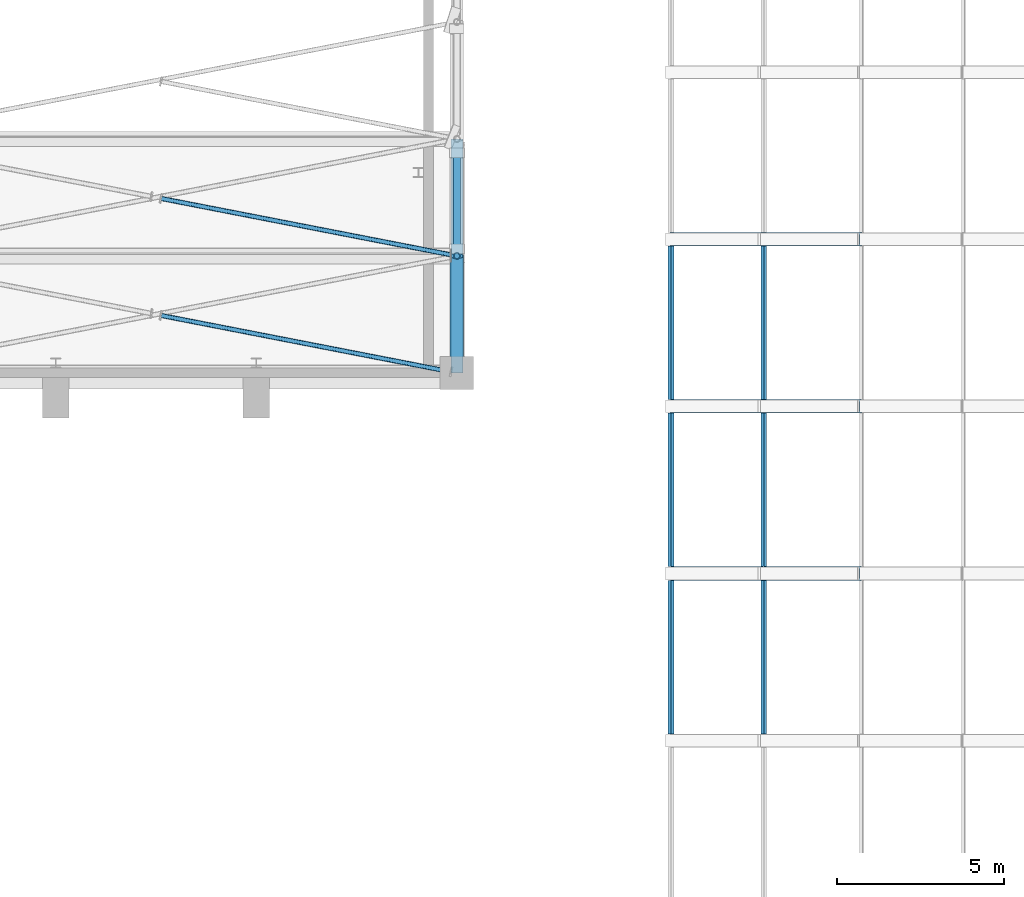
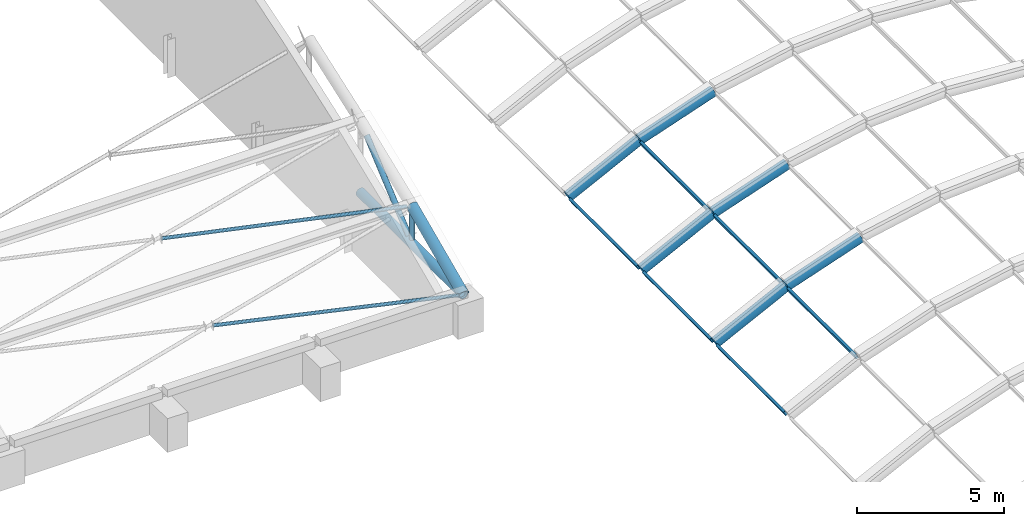
# One storey, part 45 of 196: 18 members.
"""IFC4 building model written with IfcOpenShell, lengths in metres."""

from ifc_helpers import new_model, si_unit, direction, frame, origin, origin_2d, place, context, subcontext, project, spatial, hollow_rectangle, hollow_circle, extrude, material, material_profile, profile_set, type_object, element, save


model = new_model("IFC4")

# Units and contexts
model_context = context("Model", 3, precision=1e-05, world=origin(), true_north=direction((0.0, 1.0)))
body_context = subcontext(model_context, "Body", "Model", "MODEL_VIEW")
ifc_project = project(units=[si_unit("LENGTHUNIT", "METRE"), si_unit("AREAUNIT", "SQUARE_METRE"), si_unit("VOLUMEUNIT", "CUBIC_METRE"), si_unit("PLANEANGLEUNIT", "RADIAN"), si_unit("MASSUNIT", "GRAM", prefix="KILO")], contexts=[model_context])

# Site, building, storey
site_placement = place(None, origin())
site = spatial("IfcSite", under=ifc_project, at=site_placement, CompositionType="ELEMENT")
building_placement = place(site_placement, origin())
building = spatial("IfcBuilding", under=site, at=building_placement, Name="Okhra Congress Centre", CompositionType="ELEMENT")
storey_placement = place(building_placement, frame((0.0, 0.0, 12.0)))
storey = spatial("IfcBuildingStorey", under=building, at=storey_placement, Name="L02", CompositionType="ELEMENT", Elevation=12.0)

# Members
ifc_material_1 = material(Name="Steel S355J2H", Category="steel")
ifc_material_profile_1 = material_profile(ifc_material_1, hollow_circle(Radius=0.06982421875, WallThickness=0.00634765625, at=origin_2d()), Name="CHS 139.7x6.3")
ifc_profile_set_1 = profile_set([ifc_material_profile_1], Name="Steel S355J2H")
member_type_1 = type_object("IfcMemberType", Name="CHS 139.7x6.3", PredefinedType="BRACE", material=ifc_profile_set_1)
member_1_placement = place(storey_placement, frame((153.814453125, 132.0361328125, 1.416259765625), z_axis=(-0.978051270157, 0.190181228948, 0.085128215653), x_axis=(-0.190874100976, -0.98161452596, 0.0)))
element("IfcMember", 1, at=member_1_placement, inside=storey, type_object=member_type_1, Name="EH.MEM.L02.XB7-01-2a", PredefinedType="BRACE", context=body_context, shape_type="SweptSolid", body=[
    extrude(hollow_circle(Radius=0.06982421875, WallThickness=0.00634765625, at=origin_2d()), origin(), (0.0, 0.0, 1.0), 8.85888671875),
])
member_2_placement = place(storey_placement, frame((153.814453125, 135.5361328125, 2.981201171875), z_axis=(-0.97874056041, 0.19029150725, 0.076524882736), x_axis=(-0.190851145429, -0.981618989368, 0.0)))
element("IfcMember", 2, at=member_2_placement, inside=storey, type_object=member_type_1, Name="EH.MEM.L02.XB7-02-2a", PredefinedType="BRACE", context=body_context, shape_type="SweptSolid", body=[
    extrude(hollow_circle(Radius=0.06982421875, WallThickness=0.00634765625, at=origin_2d()), origin(), (0.0, 0.0, 1.0), 8.85009765625),
])
ifc_material_profile_2 = material_profile(ifc_material_1, hollow_circle(Radius=0.096923828125, WallThickness=0.012451171875, at=origin_2d()), Name="CHS 193.7x12.5")
ifc_profile_set_2 = profile_set([ifc_material_profile_2], Name="Steel S355J2H")
member_type_2 = type_object("IfcMemberType", Name="CHS 193.7x12.5", PredefinedType="POST", material=ifc_profile_set_2)
member_3_placement = place(storey_placement, frame((154.0, 135.5, 1.577880859375), z_axis=(0.0, 0.0, 1.0), x_axis=(1.0, 0.0, 0.0)))
element("IfcMember", 3, at=member_3_placement, inside=storey, type_object=member_type_2, Name="EH.MEM.L02.T8-VER-01", PredefinedType="POST", context=body_context, shape_type="SweptSolid", body=[
    extrude(hollow_circle(Radius=0.096923828125, WallThickness=0.012451171875, at=origin_2d()), origin(), (0.0, 0.0, 1.0), 1.168212890625),
])
ifc_material_profile_3 = material_profile(ifc_material_1, hollow_circle(Radius=0.109619140625, WallThickness=0.012451171875, at=origin_2d()), Name="CHS 219.1x12.5")
ifc_profile_set_3 = profile_set([ifc_material_profile_3], Name="Steel S355J2H")
member_type_3 = type_object("IfcMemberType", Name="CHS 219.1x12.5", PredefinedType="BRACE", material=ifc_profile_set_3)
member_4_placement = place(storey_placement, frame((154.0, 138.57421875, 4.01220703125), z_axis=(0.0, -0.76205947483, -0.647507032257), x_axis=(1.0, 0.0, 0.0)))
element("IfcMember", 4, at=member_4_placement, inside=storey, type_object=member_type_3, Name="EH.MEM.L02.T8-DIA-01", PredefinedType="BRACE", context=body_context, shape_type="SweptSolid", body=[
    extrude(hollow_circle(Radius=0.109619140625, WallThickness=0.012451171875, at=origin_2d()), origin(), (0.0, 0.0, 1.0), 3.759521484375),
])
ifc_material_profile_4 = material_profile(ifc_material_1, hollow_circle(Radius=0.177734375, WallThickness=0.02490234375, at=origin_2d()), Name="CHS 355.6x25.0")
ifc_profile_set_4 = profile_set([ifc_material_profile_4], Name="Steel S355J2H")
member_type_4 = type_object("IfcMemberType", Name="CHS 355.6x25.0", PredefinedType="CHORD", material=ifc_profile_set_4)
member_5_placement = place(storey_placement, frame((154.0, 132.0, 1.39990234375), z_axis=(0.0, 1.0, 0.0), x_axis=(-1.0, 0.0, 0.0)))
element("IfcMember", 5, at=member_5_placement, inside=storey, type_object=member_type_4, Name="EH.MEM.L02.T8-BOT-01", PredefinedType="CHORD", context=body_context, shape_type="SweptSolid", body=[
    extrude(hollow_circle(Radius=0.177734375, WallThickness=0.02490234375, at=origin_2d()), origin(), (0.0, 0.0, 1.0), 7.0),
])
ifc_material_profile_5 = material_profile(ifc_material_1, hollow_circle(Radius=0.203125, WallThickness=0.02490234375, at=origin_2d()), Name="CHS 406.4x25.0")
ifc_profile_set_5 = profile_set([ifc_material_profile_5], Name="Steel S355J2H")
member_type_5 = type_object("IfcMemberType", Name="CHS 406.4x25.0", PredefinedType="CHORD", material=ifc_profile_set_5)
member_6_placement = place(storey_placement, frame((154.0, 132.0, 1.39990234375), z_axis=(0.0, 0.912710800597, 0.408606160591), x_axis=(-1.0, 0.0, 0.0)))
element("IfcMember", 6, at=member_6_placement, inside=storey, type_object=member_type_5, Name="EH.MEM.L02.T8-TOP-01", PredefinedType="CHORD", context=body_context, shape_type="SweptSolid", body=[
    extrude(hollow_circle(Radius=0.203125, WallThickness=0.02490234375, at=origin_2d()), origin(), (0.0, 0.0, 1.0), 3.834716796875),
])
ifc_material_2 = material(Name="Steel S355J2", Category="steel")
ifc_material_profile_6 = material_profile(ifc_material_2, hollow_rectangle(XDim=0.10009765625, YDim=0.199951171875, WallThickness=0.008056640625, at=origin_2d()), Name="RHS 200x100x8")
ifc_profile_set_6 = profile_set([ifc_material_profile_6], Name="Steel S355J2")
member_type_6 = type_object("IfcMemberType", Name="Steel purlin RHS 200x100x8", PredefinedType="PURLIN", material=ifc_profile_set_6)
for number, where, z_axis, x_axis, name in (
    (7, (160.406982421875, 121.203125, 0.77490234375), (0.0, 1.0, 0.0), (-0.86391685861, 0.0, -0.503634452167), "Vault purlin 10.2"),
    (8, (163.1826171875, 121.203125, 2.156494140625), (0.0, 1.0, 0.0), (-0.922668973833, 0.0, -0.38559300399), "Vault purlin 10.3"),
    (9, (160.406982421875, 126.203125, 0.77490234375), (0.0, 1.0, 0.0), (-0.86391685861, 0.0, -0.503634452167), "Vault purlin 11.2"),
    (10, (163.1826171875, 126.203125, 2.156494140625), (0.0, 1.0, 0.0), (-0.922668973833, 0.0, -0.38559300399), "Vault purlin 11.3"),
    (11, (160.406982421875, 131.203125, 0.77490234375), (0.0, 1.0, 0.0), (-0.86391685861, 0.0, -0.503634452167), "Vault purlin 12.2"),
    (12, (163.1826171875, 131.203125, 2.156494140625), (0.0, 1.0, 0.0), (-0.922668973833, 0.0, -0.38559300399), "Vault purlin 12.3"),
):
    element("IfcMember", number, at=place(storey_placement, frame(where, z_axis=z_axis, x_axis=x_axis)), inside=storey, type_object=member_type_6, Name=name, PredefinedType="PURLIN", context=body_context, shape_type="SweptSolid", body=[
        extrude(hollow_rectangle(XDim=0.10009765625, YDim=0.199951171875, WallThickness=0.008056640625, at=origin_2d()), origin(), (0.0, 0.0, 1.0), 4.59375),
    ])
ifc_material_profile_7 = material_profile(ifc_material_2, hollow_circle(Radius=0.203125, WallThickness=0.01611328125, at=origin_2d()), Name="CHS 406.4x16")
ifc_profile_set_7 = profile_set([ifc_material_profile_7], Name="Steel S355J2")
member_type_7 = type_object("IfcMemberType", Name="Tubular steel arch rib CHS 406x16", PredefinedType="USERDEFINED", material=ifc_profile_set_7)
for number, where, z_axis, x_axis, name in (
    (13, (160.406494140625, 126.0, 0.802490234375), (0.895219276519, 0.0, 0.44562590471), (0.0, 1.0, 0.0), "Arch rib 11.3"),
    (14, (163.185791015625, 126.0, 2.18408203125), (0.946089135599, 0.0, 0.323906386942), (0.0, 1.0, 0.0), "Arch rib 11.4"),
    (15, (160.406494140625, 131.0, 0.802490234375), (0.895219276519, 0.0, 0.44562590471), (0.0, 1.0, 0.0), "Arch rib 12.3"),
    (16, (163.185791015625, 131.0, 2.18408203125), (0.946089135599, 0.0, 0.323906386942), (0.0, 1.0, 0.0), "Arch rib 12.4"),
    (17, (160.406494140625, 136.0, 0.802490234375), (0.895219276519, 0.0, 0.44562590471), (0.0, 1.0, 0.0), "Arch rib 13.3"),
    (18, (163.185791015625, 136.0, 2.18408203125), (0.946089135599, 0.0, 0.323906386942), (0.0, 1.0, 0.0), "Arch rib 13.4"),
):
    element("IfcMember", number, at=place(storey_placement, frame(where, z_axis=z_axis, x_axis=x_axis)), inside=storey, type_object=member_type_7, Name=name, ObjectType="Arch rib", PredefinedType="USERDEFINED", context=body_context, shape_type="SweptSolid", body=[
        extrude(hollow_circle(Radius=0.203125, WallThickness=0.01611328125, at=origin_2d()), origin(), (0.0, 0.0, 1.0), 3.07666015625),
    ])

save(model, "model.ifc")
